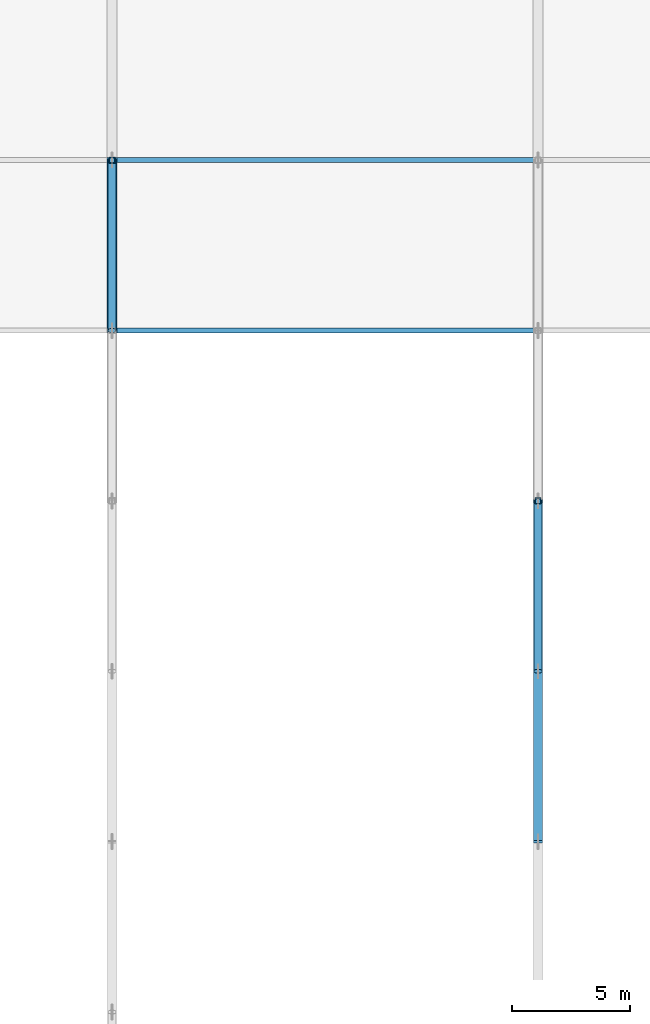
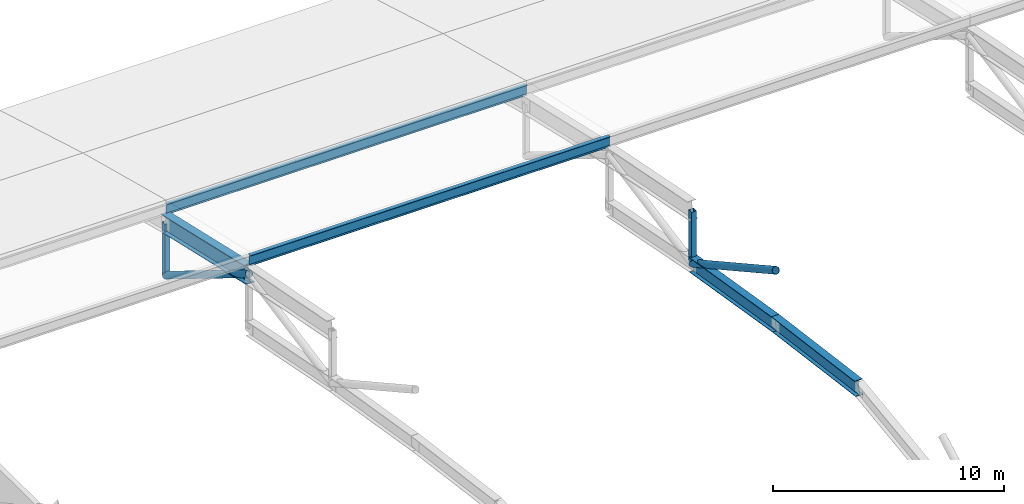
# One storey, part 24 of 124: 9 members.
"""IFC4 building model written with IfcOpenShell, lengths in metres."""

from ifc_helpers import new_model, si_unit, direction, frame, origin, origin_2d, place, context, subcontext, project, spatial, hollow_rectangle, hollow_circle, i_section, extrude, material, material_profile, profile_set, type_object, element, save


model = new_model("IFC4")

# Units and contexts
model_context = context("Model", 3, precision=1e-05, world=origin(), true_north=direction((0.0, 1.0)))
body_context = subcontext(model_context, "Body", "Model", "MODEL_VIEW")
ifc_project = project(units=[si_unit("LENGTHUNIT", "METRE"), si_unit("AREAUNIT", "SQUARE_METRE"), si_unit("VOLUMEUNIT", "CUBIC_METRE"), si_unit("PLANEANGLEUNIT", "RADIAN"), si_unit("MASSUNIT", "GRAM", prefix="KILO")], contexts=[model_context])

# Site, building, storey
site_placement = place(None, origin())
site = spatial("IfcSite", under=ifc_project, at=site_placement, CompositionType="ELEMENT")
building_placement = place(site_placement, origin())
building = spatial("IfcBuilding", under=site, at=building_placement, Name="Celestram Park Convention Centre", CompositionType="ELEMENT")
storey_placement = place(building_placement, frame((0.0, 0.0, 15.300048828125)))
storey = spatial("IfcBuildingStorey", under=building, at=storey_placement, Name="L03", CompositionType="ELEMENT", Elevation=15.300048828125)

# Members
ifc_material_1 = material(Name="Steel ASTM A500 Grade C", Category="steel")
ifc_material_profile_1 = material_profile(ifc_material_1, hollow_circle(Radius=0.177978515625, WallThickness=0.011962890625, at=origin_2d()), Name="CHS356X12")
ifc_profile_set_1 = profile_set([ifc_material_profile_1], Name="Steel ASTM A500 Grade C")
member_type_1 = type_object("IfcMemberType", Name="STR-BRC-CHS356", PredefinedType="BRACE", material=ifc_profile_set_1)
member_1_placement = place(storey_placement, frame((18.0, 86.39990234375, 3.5634765625), z_axis=(0.0, 0.850741852858, -0.525583770483), x_axis=(-1.0, 0.0, 0.0)))
element("IfcMember", 1, at=member_1_placement, inside=storey, type_object=member_type_1, Name="V1 arch web diagonal", PredefinedType="BRACE", context=body_context, shape_type="SweptSolid", body=[
    extrude(hollow_circle(Radius=0.177978515625, WallThickness=0.011962890625, at=origin_2d()), origin(), (0.0, 0.0, 1.0), 8.46337890625),
])
member_2_placement = place(storey_placement, frame((36.0, 72.0, 6.170166015625), z_axis=(0.0, 0.87474706166, -0.484579795407), x_axis=(-1.0, 0.0, 0.0)))
element("IfcMember", 2, at=member_2_placement, inside=storey, type_object=member_type_1, Name="V1 arch web diagonal", PredefinedType="BRACE", context=body_context, shape_type="SweptSolid", body=[
    extrude(hollow_circle(Radius=0.177978515625, WallThickness=0.011962890625, at=origin_2d()), origin(), (0.0, 0.0, 1.0), 8.23095703125),
])
ifc_material_2 = material(Name="Steel ASTM A992 Grade 50", Category="steel")
ifc_material_profile_2 = material_profile(ifc_material_2, i_section(OverallWidth=0.381103515625, OverallDepth=0.77197265625, WebThickness=0.0166015625, FlangeThickness=0.027099609375, at=origin_2d()), Name="W30X173")
ifc_profile_set_2 = profile_set([ifc_material_profile_2], Name="Steel ASTM A992 Grade 50")
member_type_2 = type_object("IfcMemberType", Name="STR-CHD-W30X173", PredefinedType="CHORD", material=ifc_profile_set_2)
member_3_placement = place(storey_placement, frame((36.0, 64.800048828125, 4.328369140625), z_axis=(0.0, 0.991259283276, -0.131928136952), x_axis=(-1.0, 0.0, 0.0)))
element("IfcMember", 3, at=member_3_placement, inside=storey, type_object=member_type_2, Name="V1 arch bottom chord", PredefinedType="CHORD", context=body_context, shape_type="SweptSolid", body=[
    extrude(i_section(OverallWidth=0.381103515625, OverallDepth=0.77197265625, WebThickness=0.0166015625, FlangeThickness=0.027099609375, at=origin_2d()), origin(), (0.0, 0.0, 1.0), 7.263427734375),
])
member_4_placement = place(storey_placement, frame((36.0, 72.0, 3.3701171875), z_axis=(0.0, 0.986648621514, -0.162863432557), x_axis=(-1.0, 0.0, 0.0)))
element("IfcMember", 4, at=member_4_placement, inside=storey, type_object=member_type_2, Name="V1 arch bottom chord", PredefinedType="CHORD", context=body_context, shape_type="SweptSolid", body=[
    extrude(i_section(OverallWidth=0.381103515625, OverallDepth=0.77197265625, WebThickness=0.0166015625, FlangeThickness=0.027099609375, at=origin_2d()), origin(), (0.0, 0.0, 1.0), 7.29736328125),
])
ifc_material_profile_3 = material_profile(ifc_material_2, i_section(OverallWidth=0.4189453125, OverallDepth=0.927001953125, WebThickness=0.019287109375, FlangeThickness=0.031982421875, at=origin_2d()), Name="W36X231")
ifc_profile_set_3 = profile_set([ifc_material_profile_3], Name="Steel ASTM A992 Grade 50")
member_type_3 = type_object("IfcMemberType", Name="STR-CHD-W36X231", PredefinedType="CHORD", material=ifc_profile_set_3)
member_5_placement = place(storey_placement, frame((18.0, 86.39990234375, 3.5634765625), z_axis=(0.0, 0.974779673899, -0.223169414016), x_axis=(-1.0, 0.0, 0.0)))
element("IfcMember", 5, at=member_5_placement, inside=storey, type_object=member_type_3, Name="V1 arch top chord", PredefinedType="CHORD", context=body_context, shape_type="SweptSolid", body=[
    extrude(i_section(OverallWidth=0.4189453125, OverallDepth=0.927001953125, WebThickness=0.019287109375, FlangeThickness=0.031982421875, at=origin_2d()), origin(), (0.0, 0.0, 1.0), 7.386474609375),
])
ifc_material_profile_4 = material_profile(ifc_material_2, i_section(OverallWidth=0.2099609375, OverallDepth=0.532958984375, WebThickness=0.01025390625, FlangeThickness=0.015625, at=origin_2d()), Name="W21X62")
ifc_profile_set_4 = profile_set([ifc_material_profile_4], Name="Steel ASTM A992 Grade 50")
member_type_4 = type_object("IfcMemberType", Name="STR-RFT-W21X62", PredefinedType="RAFTER", material=ifc_profile_set_4)
for number, where, z_axis, x_axis, name in (
    (6, (18.0, 86.39990234375, 4.29345703125), (1.0, 0.0, 0.0), (0.0, 1.0, 0.0), "V1 roof purlin"),
    (7, (18.0, 93.60009765625, 2.645263671875), (1.0, 0.0, 0.0), (0.0, 1.0, 0.0), "V1 roof purlin"),
):
    element("IfcMember", number, at=place(storey_placement, frame(where, z_axis=z_axis, x_axis=x_axis)), inside=storey, type_object=member_type_4, Name=name, PredefinedType="RAFTER", context=body_context, shape_type="SweptSolid", body=[
        extrude(i_section(OverallWidth=0.2099609375, OverallDepth=0.532958984375, WebThickness=0.01025390625, FlangeThickness=0.015625, at=origin_2d()), origin(), (0.0, 0.0, 1.0), 18.0),
    ])
ifc_material_profile_5 = material_profile(ifc_material_1, hollow_rectangle(XDim=0.25, YDim=0.25, WallThickness=0.011962890625, at=origin_2d()), Name="HSS250X250X12")
ifc_profile_set_5 = profile_set([ifc_material_profile_5], Name="Steel ASTM A500 Grade C")
member_type_5 = type_object("IfcMemberType", Name="STR-STR-HSS250", PredefinedType="STRUT", material=ifc_profile_set_5)
member_6_placement = place(storey_placement, frame((18.0, 93.60009765625, -0.884765625), z_axis=(0.0, 0.0, 1.0), x_axis=(1.0, 0.0, 0.0)))
element("IfcMember", 8, at=member_6_placement, inside=storey, type_object=member_type_5, Name="V1 arch vertical strut", PredefinedType="STRUT", context=body_context, shape_type="SweptSolid", body=[
    extrude(hollow_rectangle(XDim=0.25, YDim=0.25, WallThickness=0.011962890625, at=origin_2d()), origin(), (0.0, 0.0, 1.0), 2.7998046875),
])
member_7_placement = place(storey_placement, frame((36.0, 79.199951171875, 2.181640625), z_axis=(0.0, 0.0, 1.0), x_axis=(1.0, 0.0, 0.0)))
element("IfcMember", 9, at=member_7_placement, inside=storey, type_object=member_type_5, Name="V1 arch vertical strut", PredefinedType="STRUT", context=body_context, shape_type="SweptSolid", body=[
    extrude(hollow_rectangle(XDim=0.25, YDim=0.25, WallThickness=0.011962890625, at=origin_2d()), origin(), (0.0, 0.0, 1.0), 2.800048828125),
])

save(model, "model.ifc")
